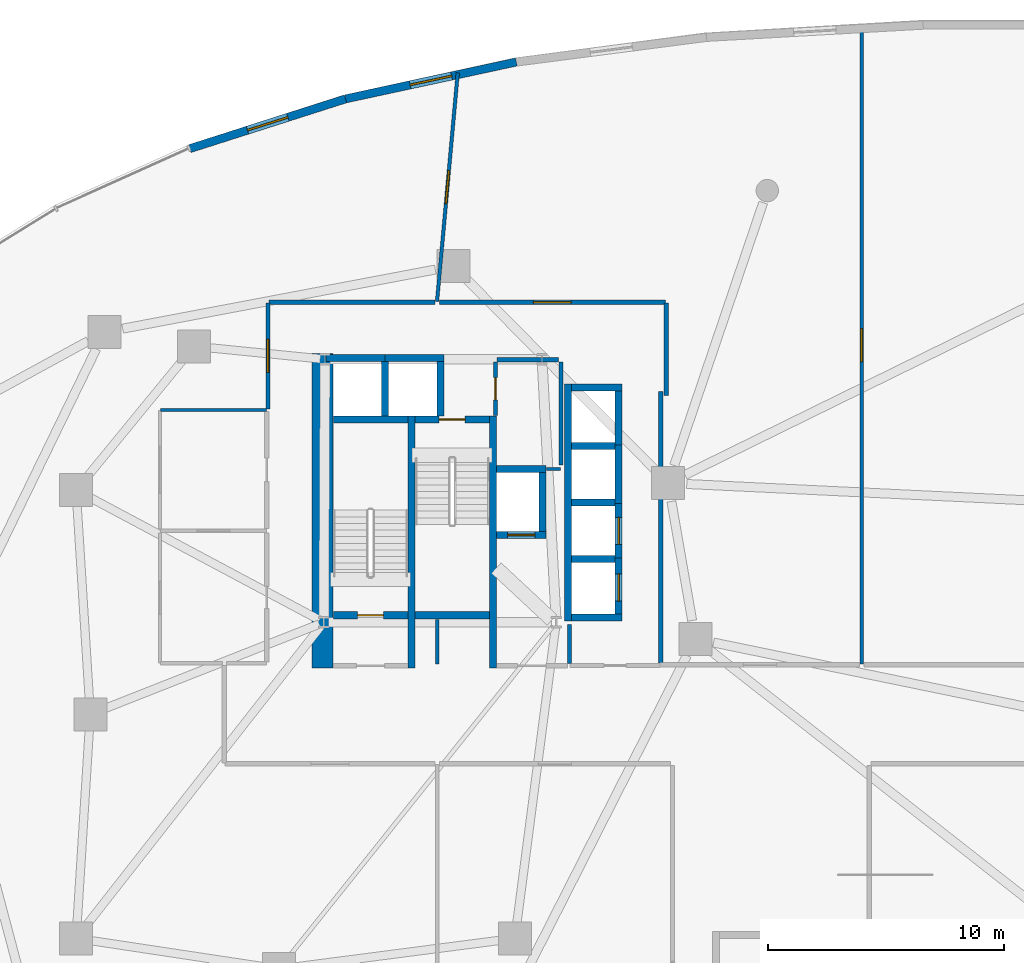
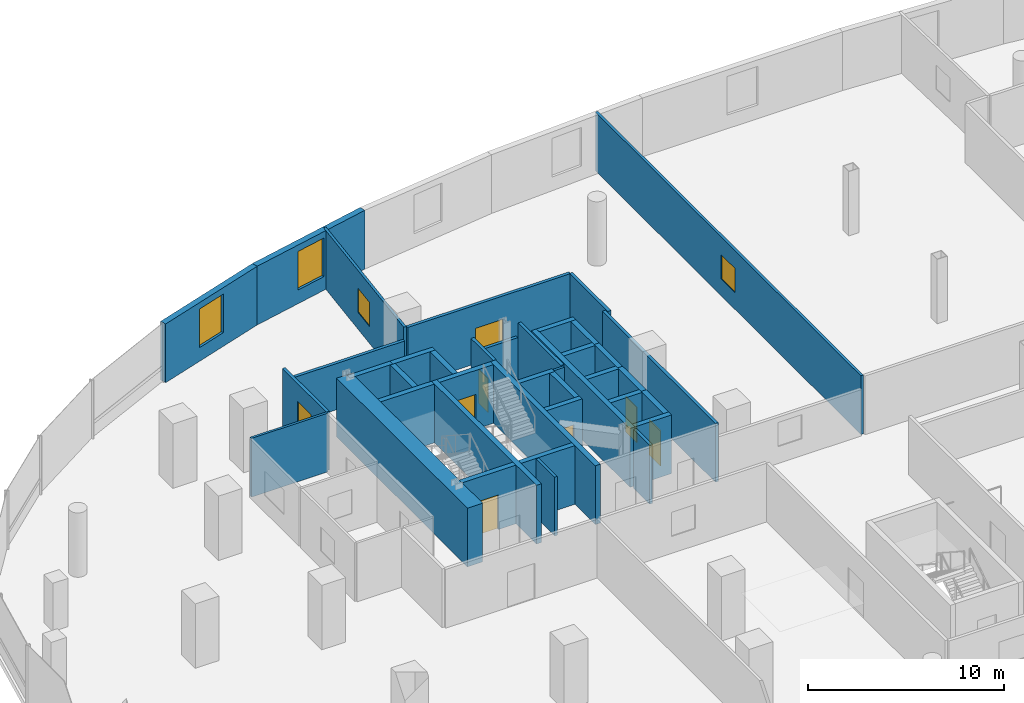
# One storey, part 13 of 18: 40 walls, 7 doors, 5 windows, 12 openings.
"""IFC4 building model written with IfcOpenShell, lengths in metres."""

from ifc_helpers import new_model, si_unit, direction, frame, frame_2d, origin, place, context, subcontext, project, spatial, rectangle, extrude, material, layer, layer_set, type_object, element, fill, save


model = new_model("IFC4")

# Units and contexts
model_context = context("Model", 3, precision=1e-05, world=origin(), true_north=direction((0.0, 1.0)))
body_context = subcontext(model_context, "Body", "Model", "MODEL_VIEW")
ifc_project = project(units=[si_unit("LENGTHUNIT", "METRE"), si_unit("AREAUNIT", "SQUARE_METRE"), si_unit("VOLUMEUNIT", "CUBIC_METRE"), si_unit("PLANEANGLEUNIT", "RADIAN"), si_unit("MASSUNIT", "GRAM", prefix="KILO"), si_unit("THERMODYNAMICTEMPERATUREUNIT", "KELVIN"), si_unit("POWERUNIT", "WATT")], contexts=[model_context])

# Site, building, storey
site_placement = place(None, origin())
site = spatial("IfcSite", under=ifc_project, at=site_placement, CompositionType="ELEMENT")
building_placement = place(site_placement, origin())
building = spatial("IfcBuilding", under=site, at=building_placement, Name="Cundina Bronze Exchange", CompositionType="ELEMENT")
storey_placement = place(building_placement, frame((0.0, 0.0, 12.0)))
storey = spatial("IfcBuildingStorey", under=building, at=storey_placement, Name="L02", CompositionType="ELEMENT", Elevation=12.0)

# Walls
ifc_material_1 = material(Name="Gypsum Fireboard Partition EI120")
ifc_layer_1 = layer(ifc_material_1, 0.179931640625, Name="Gypsum Fireboard Partition EI120")
ifc_layer_set_1 = layer_set([ifc_layer_1], Name="Gypsum Fireboard Partition EI120")
wall_type_1 = type_object("IfcWallType", Name="WL-COR-180", PredefinedType="PARTITIONING", material=ifc_layer_set_1)
wall_1_placement = place(storey_placement, frame((-20.889892578125, 2.14990234375, 0.0), z_axis=(0.0, 0.0, 1.0), x_axis=(0.0, 1.0, 0.0)))
element("IfcWall", 1, at=wall_1_placement, inside=storey, type_object=wall_type_1, Name="L02 W Firefighting Lobby Side Wall", PredefinedType="PARTITIONING", context=body_context, shape_type="SweptSolid", body=[
    extrude(rectangle(XDim=1.650146484375, YDim=0.179931640625, at=frame_2d((0.8251953125, 0.0))), origin(), (0.0, 0.0, 1.0), 3.64990234375),
])
wall_2_placement = place(storey_placement, frame((-17.02001953125, 2.169921875, 0.0), z_axis=(0.0, 0.0, 1.0), x_axis=(0.0, 1.0, 0.0)))
element("IfcWall", 2, at=wall_2_placement, inside=storey, type_object=wall_type_1, Name="L02 Interior Partition 001", PredefinedType="PARTITIONING", context=body_context, shape_type="SweptSolid", body=[
    extrude(rectangle(XDim=11.510009765625, YDim=0.179931640625, at=frame_2d((5.7548828125, 0.0))), origin(), (0.0, 0.0, 1.0), 3.64990234375),
])
wall_3_placement = place(storey_placement, frame((-21.25, 10.570068359375, 0.0), z_axis=(0.0, 0.0, 1.0), x_axis=(0.0, 1.0, 0.0)))
element("IfcWall", 3, at=wall_3_placement, inside=storey, type_object=wall_type_1, Name="L02 Interior Partition 004", PredefinedType="PARTITIONING", context=body_context, shape_type="SweptSolid", body=[
    extrude(rectangle(XDim=4.35986328125, YDim=0.179931640625, at=frame_2d((2.179931640625, 0.0))), origin(), (0.0, 0.0, 1.0), 3.64990234375),
])
wall_4_placement = place(storey_placement, frame((-23.9599609375, 15.030029296875, 0.0), z_axis=(0.0, 0.0, 1.0), x_axis=(1.0, 0.0, 0.0)))
element("IfcWall", 4, at=wall_4_placement, inside=storey, type_object=wall_type_1, Name="L02 Interior Partition 005", PredefinedType="PARTITIONING", context=body_context, shape_type="SweptSolid", body=[
    extrude(rectangle(XDim=2.60986328125, YDim=0.179931640625, at=frame_2d((1.304931640625, 0.0))), origin(), (0.0, 0.0, 1.0), 2.722900390625),
])

# Wall, opening, door
wall_5_placement = place(storey_placement, frame((-24.02001953125, 12.669921875, 0.0), z_axis=(0.0, 0.0, 1.0), x_axis=(0.0, 1.0, 0.0)))
wall_5 = element("IfcWall", 5, at=wall_5_placement, inside=storey, type_object=wall_type_1, Name="L02 Interior Partition 006", PredefinedType="PARTITIONING", context=body_context, shape_type="SweptSolid", body=[
    extrude(rectangle(XDim=2.260009765625, YDim=0.179931640625, at=frame_2d((1.1298828125, 0.0))), origin(), (0.0, 0.0, 1.0), 3.64990234375),
])
opening_1_placement = place(wall_5_placement, frame((0.655029296875, 0.0, 0.0)))
opening_1 = element("IfcOpeningElement", 6, at=opening_1_placement, cuts=wall_5, Name="Opening DW-01", PredefinedType="OPENING", context=body_context, shape_type="SweptSolid", body=[
    extrude(rectangle(XDim=0.949951171875, YDim=2.10009765625, at=frame_2d((0.47509765625, 1.050048828125))), frame((0.0, 0.099853515625, 0.0), z_axis=(0.0, -1.0, 0.0), x_axis=(1.0, 0.0, 0.0)), (0.0, 0.0, 1.0), 0.199951171875),
])
ifc_material_2 = material(Name="Solid Andean Oak Timber Grade A", Category="wood")
door_type_1 = type_object("IfcDoorType", Name="DR-WC-950", OperationType="NOTDEFINED", PredefinedType="DOOR", material=ifc_material_2)
door_1_placement = place(opening_1_placement, origin())
door_1 = element("IfcDoor", 7, at=door_1_placement, inside=storey, type_object=door_type_1, Name="L02 Interior Door 006", OperationType="SINGLE_SWING_LEFT", OverallHeight=2.10009765625, OverallWidth=0.949951171875, PredefinedType="DOOR", context=body_context, shape_type="SweptSolid", body=[
    extrude(rectangle(XDim=0.949951171875, YDim=2.10009765625, at=frame_2d((0.47509765625, 1.050048828125))), frame((0.0, 0.02490234375, 0.0), z_axis=(0.0, -1.0, 0.0), x_axis=(1.0, 0.0, 0.0)), (0.0, 0.0, 1.0), 0.050048828125),
])
fill(opening_1, door_1)

# Wall
wall_6_placement = place(storey_placement, frame((-26.594970703125, 17.469970703125, 0.0), z_axis=(0.0, 0.0, 1.0), x_axis=(-1.0, 0.0, 0.0)))
element("IfcWall", 8, at=wall_6_placement, inside=storey, type_object=wall_type_1, Name="L02 Interior Partition 040", PredefinedType="PARTITIONING", context=body_context, shape_type="SweptSolid", body=[
    extrude(rectangle(XDim=7.033447265625, YDim=0.179931640625, at=frame_2d((3.5166015625, 0.0))), origin(), (0.0, 0.0, 1.0), 2.876953125),
])

# Wall, opening, window
wall_7_placement = place(storey_placement, frame((-33.669921875, 17.428466796875, 0.0), z_axis=(0.0, 0.0, 1.0), x_axis=(0.0, -1.0, 0.0)))
wall_7 = element("IfcWall", 9, at=wall_7_placement, inside=storey, type_object=wall_type_1, Name="L02 Interior Partition 041", PredefinedType="PARTITIONING", context=body_context, shape_type="SweptSolid", body=[
    extrude(rectangle(XDim=4.47705078125, YDim=0.179931640625, at=frame_2d((2.238525390625, 0.0))), origin(), (0.0, 0.0, 1.0), 3.64990234375),
])
opening_2_placement = place(wall_7_placement, frame((1.5390625, 0.0, 1.050048828125)))
opening_2 = element("IfcOpeningElement", 10, at=opening_2_placement, cuts=wall_7, Name="Opening WI-02", PredefinedType="OPENING", context=body_context, shape_type="SweptSolid", body=[
    extrude(rectangle(XDim=1.39990234375, YDim=1.5, at=frame_2d((0.699951171875, 0.75))), frame((0.0, 0.099853515625, 0.0), z_axis=(0.0, -1.0, 0.0), x_axis=(1.0, 0.0, 0.0)), (0.0, 0.0, 1.0), 0.199951171875),
])
ifc_material_3 = material(Name="Clear Low-E Insulating Glass 26mm", Category="glass")
window_type_1 = type_object("IfcWindowType", Name="WN-INT-1400", PartitioningType="SINGLE_PANEL", PredefinedType="WINDOW", material=ifc_material_3)
window_1_placement = place(opening_2_placement, origin())
window_1 = element("IfcWindow", 11, at=window_1_placement, inside=storey, type_object=window_type_1, Name="L02 Interior Acoustic Vision Window 041", OverallHeight=1.5, OverallWidth=1.39990234375, PartitioningType="SINGLE_PANEL", PredefinedType="WINDOW", context=body_context, shape_type="SweptSolid", body=[
    extrude(rectangle(XDim=1.39990234375, YDim=1.5, at=frame_2d((0.699951171875, 0.75))), frame((0.0, 0.030029296875, 0.0), z_axis=(0.0, -1.0, 0.0), x_axis=(1.0, 0.0, 0.0)), (0.0, 0.0, 1.0), 0.06005859375),
])
fill(opening_2, window_1)

# Wall, opening, door
wall_8_placement = place(storey_placement, frame((-16.821533203125, 17.469970703125, 0.0), z_axis=(0.0, 0.0, 1.0), x_axis=(-1.0, 0.0, 0.0)))
wall_8 = element("IfcWall", 12, at=wall_8_placement, inside=storey, type_object=wall_type_1, Name="L02 Interior Partition 054", PredefinedType="PARTITIONING", context=body_context, shape_type="SweptSolid", body=[
    extrude(rectangle(XDim=9.58349609375, YDim=0.179931640625, at=frame_2d((4.791748046875, 0.0))), origin(), (0.0, 0.0, 1.0), 3.64990234375),
])
opening_3_placement = place(wall_8_placement, frame((3.99169921875, 0.0, 0.0)))
opening_3 = element("IfcOpeningElement", 13, at=opening_3_placement, cuts=wall_8, Name="Opening DO-02", PredefinedType="OPENING", context=body_context, shape_type="SweptSolid", body=[
    extrude(rectangle(XDim=1.60009765625, YDim=2.199951171875, at=frame_2d((0.800048828125, 1.10009765625))), frame((0.0, 0.099853515625, 0.0), z_axis=(0.0, -1.0, 0.0), x_axis=(1.0, 0.0, 0.0)), (0.0, 0.0, 1.0), 0.199951171875),
])
door_type_2 = type_object("IfcDoorType", Name="DR-TRD-1600", OperationType="NOTDEFINED", PredefinedType="DOOR", material=ifc_material_2)
door_2_placement = place(opening_3_placement, origin())
door_2 = element("IfcDoor", 14, at=door_2_placement, inside=storey, type_object=door_type_2, Name="L02 Interior Door 054", OperationType="SINGLE_SWING_LEFT", OverallHeight=2.199951171875, OverallWidth=1.60009765625, PredefinedType="DOOR", context=body_context, shape_type="SweptSolid", body=[
    extrude(rectangle(XDim=1.60009765625, YDim=2.199951171875, at=frame_2d((0.800048828125, 1.10009765625))), frame((0.0, 0.02490234375, 0.0), z_axis=(0.0, -1.0, 0.0), x_axis=(1.0, 0.0, 0.0)), (0.0, 0.0, 1.0), 0.050048828125),
])
fill(opening_3, door_2)

# Walls
wall_9_placement = place(storey_placement, frame((-16.780029296875, 13.521484375, 0.0), z_axis=(0.0, 0.0, 1.0), x_axis=(0.0, 1.0, 0.0)))
element("IfcWall", 15, at=wall_9_placement, inside=storey, type_object=wall_type_1, Name="L02 Interior Partition 056", PredefinedType="PARTITIONING", context=body_context, shape_type="SweptSolid", body=[
    extrude(rectangle(XDim=3.906982421875, YDim=0.179931640625, at=frame_2d((1.95361328125, 0.0))), origin(), (0.0, 0.0, 1.0), 3.64990234375),
])
ifc_material_4 = material(Name="Concrete C60/75", Category="concrete")
ifc_layer_2 = layer(ifc_material_4, 0.89990234375, Name="Concrete C60/75", Category="concrete")
ifc_layer_set_2 = layer_set([ifc_layer_2], Name="Concrete C60/75")
wall_type_2 = type_object("IfcWallType", Name="WL-CORE-900", PredefinedType="SHEAR", material=ifc_layer_set_2)
wall_10_placement = place(storey_placement, frame((-31.35009765625, 1.969970703125, 0.0), z_axis=(0.0, 0.0, 1.0), x_axis=(0.0, 1.0, 0.0)))
element("IfcWall", 16, at=wall_10_placement, inside=storey, type_object=wall_type_2, Name="L02 W Primary Core Shear Spine Wall", PredefinedType="SHEAR", context=body_context, shape_type="SweptSolid", body=[
    extrude(rectangle(XDim=13.330078125, YDim=0.89990234375, at=frame_2d((6.6650390625, 0.0))), origin(), (0.0, 0.0, 1.0), 3.64990234375),
])

# Wall, opening, window
ifc_material_5 = material(Name="Concrete C40/50", Category="concrete")
ifc_layer_3 = layer(ifc_material_5, 0.35009765625, Name="Concrete C40/50", Category="concrete")
ifc_layer_set_3 = layer_set([ifc_layer_3], Name="Concrete C40/50")
wall_type_3 = type_object("IfcWallType", Name="WL-EXT-350", PredefinedType="SOLIDWALL", material=ifc_layer_set_3)
wall_11_placement = place(storey_placement, frame((-23.139892578125, 27.65234375, 0.0), z_axis=(0.0, 0.0, 1.0), x_axis=(-0.977456656467, -0.211136175795, 0.0)))
wall_11 = element("IfcWall", 17, at=wall_11_placement, inside=storey, type_object=wall_type_3, Name="L02 Podium Exterior Wall 13", PredefinedType="SOLIDWALL", context=body_context, shape_type="SweptSolid", body=[
    extrude(rectangle(XDim=7.40625, YDim=0.35009765625, at=frame_2d((3.703125, 0.0))), origin(), (0.0, 0.0, 1.0), 3.64990234375),
])
opening_4_placement = place(wall_11_placement, frame((2.802978515625, 0.0, 0.85009765625)))
opening_4 = element("IfcOpeningElement", 18, at=opening_4_placement, cuts=wall_11, Name="Opening W-02", PredefinedType="OPENING", context=body_context, shape_type="SweptSolid", body=[
    extrude(rectangle(XDim=1.800048828125, YDim=2.39990234375, at=frame_2d((0.89990234375, 1.199951171875))), frame((0.0, 0.18505859375, 0.0), z_axis=(0.0, -1.0, 0.0), x_axis=(1.0, 0.0, 0.0)), (0.0, 0.0, 1.0), 0.3701171875),
])
ifc_material_6 = material(Name="Heat-Strengthened Solar-Control Bronze Safety Glass 28mm", Category="glass")
window_type_2 = type_object("IfcWindowType", Name="WN-POD-1800", PartitioningType="SINGLE_PANEL", PredefinedType="WINDOW", material=ifc_material_6)
window_2_placement = place(opening_4_placement, origin())
window_2 = element("IfcWindow", 19, at=window_2_placement, inside=storey, type_object=window_type_2, Name="L02 Podium Punched Window 13", OverallHeight=2.39990234375, OverallWidth=1.800048828125, PartitioningType="SINGLE_PANEL", PredefinedType="WINDOW", context=body_context, shape_type="SweptSolid", body=[
    extrude(rectangle(XDim=1.800048828125, YDim=2.39990234375, at=frame_2d((0.89990234375, 1.199951171875))), frame((0.0, 0.030029296875, 0.0), z_axis=(0.0, -1.0, 0.0), x_axis=(1.0, 0.0, 0.0)), (0.0, 0.0, 1.0), 0.06005859375),
])
fill(opening_4, window_2)

wall_12_placement = place(storey_placement, frame((-30.379150390625, 26.088623046875, 0.0), z_axis=(0.0, 0.0, 1.0), x_axis=(-0.952587993211, -0.304263233385, 0.0)))
wall_12 = element("IfcWall", 20, at=wall_12_placement, inside=storey, type_object=wall_type_3, Name="L02 Podium Exterior Wall 14", PredefinedType="SOLIDWALL", context=body_context, shape_type="SweptSolid", body=[
    extrude(rectangle(XDim=6.931884765625, YDim=0.35009765625, at=frame_2d((3.4658203125, 0.0))), origin(), (0.0, 0.0, 1.0), 3.64990234375),
])
opening_5_placement = place(wall_12_placement, frame((2.56591796875, 0.0, 0.85009765625)))
opening_5 = element("IfcOpeningElement", 21, at=opening_5_placement, cuts=wall_12, Name="Opening W-02", PredefinedType="OPENING", context=body_context, shape_type="SweptSolid", body=[
    extrude(rectangle(XDim=1.800048828125, YDim=2.39990234375, at=frame_2d((0.89990234375, 1.199951171875))), frame((0.0, 0.18505859375, 0.0), z_axis=(0.0, -1.0, 0.0), x_axis=(1.0, 0.0, 0.0)), (0.0, 0.0, 1.0), 0.3701171875),
])
window_3_placement = place(opening_5_placement, origin())
window_3 = element("IfcWindow", 22, at=window_3_placement, inside=storey, type_object=window_type_2, Name="L02 Podium Punched Window 14", OverallHeight=2.39990234375, OverallWidth=1.800048828125, PartitioningType="SINGLE_PANEL", PredefinedType="WINDOW", context=body_context, shape_type="SweptSolid", body=[
    extrude(rectangle(XDim=1.800048828125, YDim=2.39990234375, at=frame_2d((0.89990234375, 1.199951171875))), frame((0.0, 0.030029296875, 0.0), z_axis=(0.0, -1.0, 0.0), x_axis=(1.0, 0.0, 0.0)), (0.0, 0.0, 1.0), 0.06005859375),
])
fill(opening_5, window_3)

# Walls
ifc_material_7 = material(Name="Concrete C50/60", Category="concrete")
ifc_layer_4 = layer(ifc_material_7, 0.300048828125, Name="Concrete C50/60", Category="concrete")
ifc_layer_set_4 = layer_set([ifc_layer_4], Name="Concrete C50/60")
wall_type_4 = type_object("IfcWallType", Name="WL-SHFT-300", PredefinedType="SHEAR", material=ifc_layer_set_4)
for number, where, z_axis, x_axis, name in (
    (23, (-27.590087890625, 1.969970703125, 0.0), (0.0, 0.0, 1.0), (0.0, 1.0, 0.0), "L02 W Stair Shaft Dividing Shear Wall"),
    (24, (-24.1298828125, 1.969970703125, 0.0), (0.0, 0.0, 1.0), (0.0, 1.0, 0.0), "L02 W Stair 2 East Shear Wall"),
):
    element("IfcWall", number, at=place(storey_placement, frame(where, z_axis=z_axis, x_axis=x_axis)), inside=storey, type_object=wall_type_4, Name=name, PredefinedType="SHEAR", context=body_context, shape_type="SweptSolid", body=[
        extrude(rectangle(XDim=10.679931640625, YDim=0.300048828125, at=frame_2d((5.33984375, 0.0))), origin(), (0.0, 0.0, 1.0), 3.64990234375),
    ])

# Wall, opening, door
wall_13_placement = place(storey_placement, frame((-30.89990234375, 4.199951171875, 0.0), z_axis=(0.0, 0.0, 1.0), x_axis=(1.0, 0.0, 0.0)))
wall_13 = element("IfcWall", 25, at=wall_13_placement, inside=storey, type_object=wall_type_4, Name="L02 Stair W1 Landing Wall", PredefinedType="SHEAR", context=body_context, shape_type="SweptSolid", body=[
    extrude(rectangle(XDim=3.159912109375, YDim=0.300048828125, at=frame_2d((1.580078125, 0.0))), origin(), (0.0, 0.0, 1.0), 3.64990234375),
])
opening_6_placement = place(wall_13_placement, frame((1.030029296875, 0.0, 0.0)))
opening_6 = element("IfcOpeningElement", 26, at=opening_6_placement, cuts=wall_13, Name="Opening DS-01", PredefinedType="OPENING", context=body_context, shape_type="SweptSolid", body=[
    extrude(rectangle(XDim=1.10009765625, YDim=2.14990234375, at=frame_2d((0.550048828125, 1.074951171875))), frame((0.0, 0.159912109375, 0.0), z_axis=(0.0, -1.0, 0.0), x_axis=(1.0, 0.0, 0.0)), (0.0, 0.0, 1.0), 0.320068359375),
])
ifc_material_8 = material(Name="Steel ASTM A36 Painted", Category="steel")
door_type_3 = type_object("IfcDoorType", Name="DR-STR-1100", OperationType="NOTDEFINED", PredefinedType="DOOR", material=ifc_material_8)
door_3_placement = place(opening_6_placement, origin())
door_3 = element("IfcDoor", 27, at=door_3_placement, inside=storey, type_object=door_type_3, Name="L02 Smokeproof Stair W1 Door", OperationType="SINGLE_SWING_RIGHT", OverallHeight=2.14990234375, OverallWidth=1.10009765625, PredefinedType="DOOR", context=body_context, shape_type="SweptSolid", body=[
    extrude(rectangle(XDim=1.10009765625, YDim=2.14990234375, at=frame_2d((0.550048828125, 1.074951171875))), frame((0.0, 0.02490234375, 0.0), z_axis=(0.0, -1.0, 0.0), x_axis=(1.0, 0.0, 0.0)), (0.0, 0.0, 1.0), 0.050048828125),
])
fill(opening_6, door_3)

# Wall
wall_14_placement = place(storey_placement, frame((-30.89990234375, 12.5, 0.0), z_axis=(0.0, 0.0, 1.0), x_axis=(1.0, 0.0, 0.0)))
element("IfcWall", 28, at=wall_14_placement, inside=storey, type_object=wall_type_4, Name="L02 Stair W1 Far Shaft Wall", PredefinedType="SHEAR", context=body_context, shape_type="SweptSolid", body=[
    extrude(rectangle(XDim=3.159912109375, YDim=0.300048828125, at=frame_2d((1.580078125, 0.0))), origin(), (0.0, 0.0, 1.0), 3.64990234375),
])

# Wall, opening, door
wall_15_placement = place(storey_placement, frame((-27.43994140625, 12.5, 0.0), z_axis=(0.0, 0.0, 1.0), x_axis=(1.0, 0.0, 0.0)))
wall_15 = element("IfcWall", 29, at=wall_15_placement, inside=storey, type_object=wall_type_4, Name="L02 Stair W2 Landing Wall", PredefinedType="SHEAR", context=body_context, shape_type="SweptSolid", body=[
    extrude(rectangle(XDim=3.159912109375, YDim=0.300048828125, at=frame_2d((1.580078125, 0.0))), origin(), (0.0, 0.0, 1.0), 3.64990234375),
])
opening_7_placement = place(wall_15_placement, frame((1.030029296875, 0.0, 0.0)))
opening_7 = element("IfcOpeningElement", 30, at=opening_7_placement, cuts=wall_15, Name="Opening DS-01", PredefinedType="OPENING", context=body_context, shape_type="SweptSolid", body=[
    extrude(rectangle(XDim=1.10009765625, YDim=2.14990234375, at=frame_2d((0.550048828125, 1.074951171875))), frame((0.0, 0.159912109375, 0.0), z_axis=(0.0, -1.0, 0.0), x_axis=(1.0, 0.0, 0.0)), (0.0, 0.0, 1.0), 0.320068359375),
])
door_4_placement = place(opening_7_placement, origin())
door_4 = element("IfcDoor", 31, at=door_4_placement, inside=storey, type_object=door_type_3, Name="L02 Smokeproof Stair W2 Door", OperationType="SINGLE_SWING_LEFT", OverallHeight=2.14990234375, OverallWidth=1.10009765625, PredefinedType="DOOR", context=body_context, shape_type="SweptSolid", body=[
    extrude(rectangle(XDim=1.10009765625, YDim=2.14990234375, at=frame_2d((0.550048828125, 1.074951171875))), frame((0.0, 0.02490234375, 0.0), z_axis=(0.0, -1.0, 0.0), x_axis=(1.0, 0.0, 0.0)), (0.0, 0.0, 1.0), 0.050048828125),
])
fill(opening_7, door_4)

# Wall
wall_16_placement = place(storey_placement, frame((-27.43994140625, 4.199951171875, 0.0), z_axis=(0.0, 0.0, 1.0), x_axis=(1.0, 0.0, 0.0)))
element("IfcWall", 32, at=wall_16_placement, inside=storey, type_object=wall_type_4, Name="L02 Stair W2 Far Shaft Wall", PredefinedType="SHEAR", context=body_context, shape_type="SweptSolid", body=[
    extrude(rectangle(XDim=3.159912109375, YDim=0.300048828125, at=frame_2d((1.580078125, 0.0))), origin(), (0.0, 0.0, 1.0), 3.64990234375),
])

# Wall, opening, door
wall_17_placement = place(storey_placement, frame((-23.97998046875, 7.60009765625, 0.0), z_axis=(0.0, 0.0, 1.0), x_axis=(1.0, 0.0, 0.0)))
wall_17 = element("IfcWall", 33, at=wall_17_placement, inside=storey, type_object=wall_type_4, Name="L02 FFL-W Hoistway Front Wall", PredefinedType="SHEAR", context=body_context, shape_type="SweptSolid", body=[
    extrude(rectangle(XDim=2.10009765625, YDim=0.300048828125, at=frame_2d((1.050048828125, 0.0))), origin(), (0.0, 0.0, 1.0), 3.64990234375),
])
opening_8_placement = place(wall_17_placement, frame((0.47509765625, 0.0, 0.0)))
opening_8 = element("IfcOpeningElement", 34, at=opening_8_placement, cuts=wall_17, Name="Opening LD-01", PredefinedType="OPENING", context=body_context, shape_type="SweptSolid", body=[
    extrude(rectangle(XDim=1.14990234375, YDim=2.199951171875, at=frame_2d((0.574951171875, 1.10009765625))), frame((0.0, 0.159912109375, 0.0), z_axis=(0.0, -1.0, 0.0), x_axis=(1.0, 0.0, 0.0)), (0.0, 0.0, 1.0), 0.320068359375),
])
door_type_4 = type_object("IfcDoorType", Name="DR-LND-1150", OperationType="NOTDEFINED", PredefinedType="TRAPDOOR", material=ifc_material_8)
door_5_placement = place(opening_8_placement, origin())
door_5 = element("IfcDoor", 35, at=door_5_placement, inside=storey, type_object=door_type_4, Name="L02 FFL-W Sliding Landing Door", OperationType="SLIDING_TO_LEFT", OverallHeight=2.199951171875, OverallWidth=1.14990234375, PredefinedType="TRAPDOOR", context=body_context, shape_type="SweptSolid", body=[
    extrude(rectangle(XDim=1.14990234375, YDim=2.199951171875, at=frame_2d((0.574951171875, 1.10009765625))), frame((0.0, 0.02490234375, 0.0), z_axis=(0.0, -1.0, 0.0), x_axis=(1.0, 0.0, 0.0)), (0.0, 0.0, 1.0), 0.050048828125),
])
fill(opening_8, door_5)

# Walls
wall_18_placement = place(storey_placement, frame((-23.97998046875, 10.39990234375, 0.0), z_axis=(0.0, 0.0, 1.0), x_axis=(1.0, 0.0, 0.0)))
element("IfcWall", 36, at=wall_18_placement, inside=storey, type_object=wall_type_4, Name="L02 FFL-W Hoistway Back Wall", PredefinedType="SHEAR", context=body_context, shape_type="SweptSolid", body=[
    extrude(rectangle(XDim=2.10009765625, YDim=0.300048828125, at=frame_2d((1.050048828125, 0.0))), origin(), (0.0, 0.0, 1.0), 3.64990234375),
])
for number, where, z_axis, x_axis, name in (
    (37, (-22.030029296875, 7.75, 0.0), (0.0, 0.0, 1.0), (0.0, 1.0, 0.0), "L02 FFL-W Hoistway Side Wall"),
    (38, (-31.199951171875, 15.10009765625, 0.0), (0.0, 0.0, 1.0), (1.0, 0.0, 0.0), "L02 PH-W1 Hoistway Front Wall"),
):
    element("IfcWall", number, at=place(storey_placement, frame(where, z_axis=z_axis, x_axis=x_axis)), inside=storey, type_object=wall_type_4, Name=name, PredefinedType="SHEAR", context=body_context, shape_type="SweptSolid", body=[
        extrude(rectangle(XDim=2.5, YDim=0.300048828125, at=frame_2d((1.25, 0.0))), origin(), (0.0, 0.0, 1.0), 3.64990234375),
    ])
wall_19_placement = place(storey_placement, frame((-28.699951171875, 12.64990234375, 0.0), z_axis=(0.0, 0.0, 1.0), x_axis=(0.0, 1.0, 0.0)))
element("IfcWall", 39, at=wall_19_placement, inside=storey, type_object=wall_type_4, Name="L02 PH-W1 Hoistway Divider Wall", PredefinedType="SHEAR", context=body_context, shape_type="SweptSolid", body=[
    extrude(rectangle(XDim=2.300048828125, YDim=0.300048828125, at=frame_2d((1.14990234375, 0.0))), origin(), (0.0, 0.0, 1.0), 3.64990234375),
])
wall_20_placement = place(storey_placement, frame((-28.699951171875, 15.10009765625, 0.0), z_axis=(0.0, 0.0, 1.0), x_axis=(1.0, 0.0, 0.0)))
element("IfcWall", 40, at=wall_20_placement, inside=storey, type_object=wall_type_4, Name="L02 PH-W2 Hoistway Front Wall", PredefinedType="SHEAR", context=body_context, shape_type="SweptSolid", body=[
    extrude(rectangle(XDim=2.5, YDim=0.300048828125, at=frame_2d((1.25, 0.0))), origin(), (0.0, 0.0, 1.0), 3.64990234375),
])
wall_21_placement = place(storey_placement, frame((-26.35009765625, 12.64990234375, 0.0), z_axis=(0.0, 0.0, 1.0), x_axis=(0.0, 1.0, 0.0)))
element("IfcWall", 41, at=wall_21_placement, inside=storey, type_object=wall_type_4, Name="L02 PH-W2 Hoistway Divider Wall", PredefinedType="SHEAR", context=body_context, shape_type="SweptSolid", body=[
    extrude(rectangle(XDim=2.300048828125, YDim=0.300048828125, at=frame_2d((1.14990234375, 0.0))), origin(), (0.0, 0.0, 1.0), 3.64990234375),
])
wall_22_placement = place(storey_placement, frame((-20.949951171875, 3.949951171875, 0.0), z_axis=(0.0, 0.0, 1.0), x_axis=(0.0, 1.0, 0.0)))
element("IfcWall", 42, at=wall_22_placement, inside=storey, type_object=wall_type_4, Name="L02 W Passenger Bank Hoistway Back Wall", PredefinedType="SHEAR", context=body_context, shape_type="SweptSolid", body=[
    extrude(rectangle(XDim=10.050048828125, YDim=0.300048828125, at=frame_2d((5.02490234375, 0.0))), origin(), (0.0, 0.0, 1.0), 3.64990234375),
])
for number, where, z_axis, x_axis, name in (
    (43, (-20.800048828125, 4.10009765625, 0.0), (0.0, 0.0, 1.0), (1.0, 0.0, 0.0), "L02 W Passenger Bank South Cap Wall"),
    (44, (-20.800048828125, 13.85009765625, 0.0), (0.0, 0.0, 1.0), (1.0, 0.0, 0.0), "L02 W Passenger Bank North Cap Wall"),
):
    element("IfcWall", number, at=place(storey_placement, frame(where, z_axis=z_axis, x_axis=x_axis)), inside=storey, type_object=wall_type_4, Name=name, PredefinedType="SHEAR", context=body_context, shape_type="SweptSolid", body=[
        extrude(rectangle(XDim=2.150146484375, YDim=0.300048828125, at=frame_2d((1.0751953125, 0.0))), origin(), (0.0, 0.0, 1.0), 3.64990234375),
    ])
for number, where, z_axis, x_axis, name in (
    (45, (-20.800048828125, 6.574951171875, 0.0), (0.0, 0.0, 1.0), (1.0, 0.0, 0.0), "L02 W Passenger Hoistway Divider 1"),
    (46, (-20.800048828125, 8.97509765625, 0.0), (0.0, 0.0, 1.0), (1.0, 0.0, 0.0), "L02 W Passenger Hoistway Divider 2"),
    (47, (-20.800048828125, 11.375, 0.0), (0.0, 0.0, 1.0), (1.0, 0.0, 0.0), "L02 W Passenger Hoistway Divider 3"),
):
    element("IfcWall", number, at=place(storey_placement, frame(where, z_axis=z_axis, x_axis=x_axis)), inside=storey, type_object=wall_type_4, Name=name, PredefinedType="SHEAR", context=body_context, shape_type="SweptSolid", body=[
        extrude(rectangle(XDim=1.85009765625, YDim=0.300048828125, at=frame_2d((0.925048828125, 0.0))), origin(), (0.0, 0.0, 1.0), 3.64990234375),
    ])

# Wall, opening, door
wall_23_placement = place(storey_placement, frame((-18.800048828125, 4.1298828125, 0.0), z_axis=(0.0, 0.0, 1.0), x_axis=(0.0, 1.0, 0.0)))
wall_23 = element("IfcWall", 48, at=wall_23_placement, inside=storey, type_object=wall_type_4, Name="L02 PL-W2 Hoistway Front Wall", PredefinedType="SHEAR", context=body_context, shape_type="SweptSolid", body=[
    extrude(rectangle(XDim=2.490234375, YDim=0.300048828125, at=frame_2d((1.2451171875, 0.0))), origin(), (0.0, 0.0, 1.0), 3.64990234375),
])
opening_9_placement = place(wall_23_placement, frame((0.669921875, 0.0, 0.0)))
opening_9 = element("IfcOpeningElement", 49, at=opening_9_placement, cuts=wall_23, Name="Opening LD-01", PredefinedType="OPENING", context=body_context, shape_type="SweptSolid", body=[
    extrude(rectangle(XDim=1.14990234375, YDim=2.199951171875, at=frame_2d((0.574951171875, 1.10009765625))), frame((0.0, 0.159912109375, 0.0), z_axis=(0.0, -1.0, 0.0), x_axis=(1.0, 0.0, 0.0)), (0.0, 0.0, 1.0), 0.320068359375),
])
door_6_placement = place(opening_9_placement, origin())
door_6 = element("IfcDoor", 50, at=door_6_placement, inside=storey, type_object=door_type_4, Name="L02 PL-W2 Sliding Landing Door", OperationType="SLIDING_TO_LEFT", OverallHeight=2.199951171875, OverallWidth=1.14990234375, PredefinedType="TRAPDOOR", context=body_context, shape_type="SweptSolid", body=[
    extrude(rectangle(XDim=1.14990234375, YDim=2.199951171875, at=frame_2d((0.574951171875, 1.10009765625))), frame((0.0, 0.02490234375, 0.0), z_axis=(0.0, -1.0, 0.0), x_axis=(1.0, 0.0, 0.0)), (0.0, 0.0, 1.0), 0.050048828125),
])
fill(opening_9, door_6)

wall_24_placement = place(storey_placement, frame((-18.800048828125, 6.530029296875, 0.0), z_axis=(0.0, 0.0, 1.0), x_axis=(0.0, 1.0, 0.0)))
wall_24 = element("IfcWall", 51, at=wall_24_placement, inside=storey, type_object=wall_type_4, Name="L02 PL-W1 Hoistway Front Wall", PredefinedType="SHEAR", context=body_context, shape_type="SweptSolid", body=[
    extrude(rectangle(XDim=2.489990234375, YDim=0.300048828125, at=frame_2d((1.2451171875, 0.0))), origin(), (0.0, 0.0, 1.0), 3.64990234375),
])
opening_10_placement = place(wall_24_placement, frame((0.669921875, 0.0, 0.0)))
opening_10 = element("IfcOpeningElement", 52, at=opening_10_placement, cuts=wall_24, Name="Opening LD-01", PredefinedType="OPENING", context=body_context, shape_type="SweptSolid", body=[
    extrude(rectangle(XDim=1.14990234375, YDim=2.199951171875, at=frame_2d((0.574951171875, 1.10009765625))), frame((0.0, 0.159912109375, 0.0), z_axis=(0.0, -1.0, 0.0), x_axis=(1.0, 0.0, 0.0)), (0.0, 0.0, 1.0), 0.320068359375),
])
door_7_placement = place(opening_10_placement, origin())
door_7 = element("IfcDoor", 53, at=door_7_placement, inside=storey, type_object=door_type_4, Name="L02 PL-W1 Sliding Landing Door", OperationType="SLIDING_TO_LEFT", OverallHeight=2.199951171875, OverallWidth=1.14990234375, PredefinedType="TRAPDOOR", context=body_context, shape_type="SweptSolid", body=[
    extrude(rectangle(XDim=1.14990234375, YDim=2.199951171875, at=frame_2d((0.574951171875, 1.10009765625))), frame((0.0, 0.02490234375, 0.0), z_axis=(0.0, -1.0, 0.0), x_axis=(1.0, 0.0, 0.0)), (0.0, 0.0, 1.0), 0.050048828125),
])
fill(opening_10, door_7)

# Walls
for number, where, z_axis, x_axis, name in (
    (54, (-18.800048828125, 8.929931640625, 0.0), (0.0, 0.0, 1.0), (0.0, 1.0, 0.0), "L02 PM-W2 Hoistway Front Wall"),
    (55, (-18.800048828125, 11.330078125, 0.0), (0.0, 0.0, 1.0), (0.0, 1.0, 0.0), "L02 PM-W1 Hoistway Front Wall"),
):
    element("IfcWall", number, at=place(storey_placement, frame(where, z_axis=z_axis, x_axis=x_axis)), inside=storey, type_object=wall_type_4, Name=name, PredefinedType="SHEAR", context=body_context, shape_type="SweptSolid", body=[
        extrude(rectangle(XDim=2.489990234375, YDim=0.300048828125, at=frame_2d((1.2451171875, 0.0))), origin(), (0.0, 0.0, 1.0), 3.64990234375),
    ])
ifc_material_9 = material(Name="Gypsum Acoustic Partition EI60")
ifc_layer_5 = layer(ifc_material_9, 0.14990234375, Name="Gypsum Acoustic Partition EI60")
ifc_layer_set_5 = layer_set([ifc_layer_5], Name="Gypsum Acoustic Partition EI60")
wall_type_5 = type_object("IfcWallType", Name="WL-TEN-150", PredefinedType="PARTITIONING", material=ifc_layer_set_5)
wall_25_placement = place(storey_placement, frame((-26.5, 2.1298828125, 0.0), z_axis=(0.0, 0.0, 1.0), x_axis=(0.0, 1.0, 0.0)))
element("IfcWall", 56, at=wall_25_placement, inside=storey, type_object=wall_type_5, Name="L02 Interior Partition 022", PredefinedType="PARTITIONING", context=body_context, shape_type="SweptSolid", body=[
    extrude(rectangle(XDim=1.89013671875, YDim=0.14990234375, at=frame_2d((0.945068359375, 0.0))), origin(), (0.0, 0.0, 1.0), 3.64990234375),
])

# Wall, opening, window
wall_26_placement = place(storey_placement, frame((-26.5, 17.5, 0.0), z_axis=(0.0, 0.0, 1.0), x_axis=(0.090192004823, 0.995924395858, 0.0)))
wall_26 = element("IfcWall", 57, at=wall_26_placement, inside=storey, type_object=wall_type_5, Name="L02 Interior Partition 023", PredefinedType="PARTITIONING", context=body_context, shape_type="SweptSolid", body=[
    extrude(rectangle(XDim=9.73388671875, YDim=0.14990234375, at=frame_2d((4.866943359375, 0.0))), origin(), (0.0, 0.0, 1.0), 3.64990234375),
])
opening_11_placement = place(wall_26_placement, frame((4.1669921875, 0.0, 1.050048828125)))
opening_11 = element("IfcOpeningElement", 58, at=opening_11_placement, cuts=wall_26, Name="Opening WI-02", PredefinedType="OPENING", context=body_context, shape_type="SweptSolid", body=[
    extrude(rectangle(XDim=1.39990234375, YDim=1.5, at=frame_2d((0.699951171875, 0.75))), frame((0.0, 0.0849609375, 0.0), z_axis=(0.0, -1.0, 0.0), x_axis=(1.0, 0.0, 0.0)), (0.0, 0.0, 1.0), 0.169921875),
])
window_4_placement = place(opening_11_placement, origin())
window_4 = element("IfcWindow", 59, at=window_4_placement, inside=storey, type_object=window_type_1, Name="L02 Interior Acoustic Vision Window 023", OverallHeight=1.5, OverallWidth=1.39990234375, PartitioningType="SINGLE_PANEL", PredefinedType="WINDOW", context=body_context, shape_type="SweptSolid", body=[
    extrude(rectangle(XDim=1.39990234375, YDim=1.5, at=frame_2d((0.699951171875, 0.75))), frame((0.0, 0.030029296875, 0.0), z_axis=(0.0, -1.0, 0.0), x_axis=(1.0, 0.0, 0.0)), (0.0, 0.0, 1.0), 0.06005859375),
])
fill(opening_11, window_4)

wall_27_placement = place(storey_placement, frame((-8.5, 2.1298828125, 0.0), z_axis=(0.0, 0.0, 1.0), x_axis=(0.0, 1.0, 0.0)))
wall_27 = element("IfcWall", 60, at=wall_27_placement, inside=storey, type_object=wall_type_5, Name="L02 Interior Partition 025", PredefinedType="PARTITIONING", context=body_context, shape_type="SweptSolid", body=[
    extrude(rectangle(XDim=27.04248046875, YDim=0.14990234375, at=frame_2d((13.521240234375, 0.0))), origin(), (0.0, 0.0, 1.0), 3.64990234375),
])
opening_12_placement = place(wall_27_placement, frame((12.821044921875, 0.0, 1.050048828125)))
opening_12 = element("IfcOpeningElement", 61, at=opening_12_placement, cuts=wall_27, Name="Opening WI-02", PredefinedType="OPENING", context=body_context, shape_type="SweptSolid", body=[
    extrude(rectangle(XDim=1.39990234375, YDim=1.5, at=frame_2d((0.699951171875, 0.75))), frame((0.0, 0.0849609375, 0.0), z_axis=(0.0, -1.0, 0.0), x_axis=(1.0, 0.0, 0.0)), (0.0, 0.0, 1.0), 0.169921875),
])
window_5_placement = place(opening_12_placement, origin())
window_5 = element("IfcWindow", 62, at=window_5_placement, inside=storey, type_object=window_type_1, Name="L02 Interior Acoustic Vision Window 025", OverallHeight=1.5, OverallWidth=1.39990234375, PartitioningType="SINGLE_PANEL", PredefinedType="WINDOW", context=body_context, shape_type="SweptSolid", body=[
    extrude(rectangle(XDim=1.39990234375, YDim=1.5, at=frame_2d((0.699951171875, 0.75))), frame((0.0, 0.030029296875, 0.0), z_axis=(0.0, -1.0, 0.0), x_axis=(1.0, 0.0, 0.0)), (0.0, 0.0, 1.0), 0.06005859375),
])
fill(opening_12, window_5)

# Walls
ifc_material_10 = material(Name="Moisture-Resistant Masonry Block Grade M15", Category="masonry")
ifc_layer_6 = layer(ifc_material_10, 0.139892578125, Name="Moisture-Resistant Masonry Block Grade M15", Category="masonry")
ifc_layer_set_6 = layer_set([ifc_layer_6], Name="Moisture-Resistant Masonry Block Grade M15")
wall_type_6 = type_object("IfcWallType", Name="WL-WET-140", PredefinedType="PARTITIONING", material=ifc_layer_set_6)
wall_28_placement = place(storey_placement, frame((-21.860107421875, 10.39990234375, 0.0), z_axis=(0.0, 0.0, 1.0), x_axis=(1.0, 0.0, 0.0)))
element("IfcWall", 63, at=wall_28_placement, inside=storey, type_object=wall_type_6, Name="L02 Interior Partition 003", PredefinedType="PARTITIONING", context=body_context, shape_type="SweptSolid", body=[
    extrude(rectangle(XDim=0.590087890625, YDim=0.139892578125, at=frame_2d((0.294921875, 0.0))), origin(), (0.0, 0.0, 1.0), 3.64990234375),
])
wall_29_placement = place(storey_placement, frame((-38.219970703125, 12.89990234375, 0.0), z_axis=(0.0, 0.0, 1.0), x_axis=(1.0, 0.0, 0.0)))
element("IfcWall", 64, at=wall_29_placement, inside=storey, type_object=wall_type_6, Name="L02 Interior Partition 018", PredefinedType="PARTITIONING", context=body_context, shape_type="SweptSolid", body=[
    extrude(rectangle(XDim=4.47998046875, YDim=0.139892578125, at=frame_2d((2.239990234375, 0.0))), origin(), (0.0, 0.0, 1.0), 3.64990234375),
])

save(model, "model.ifc")
